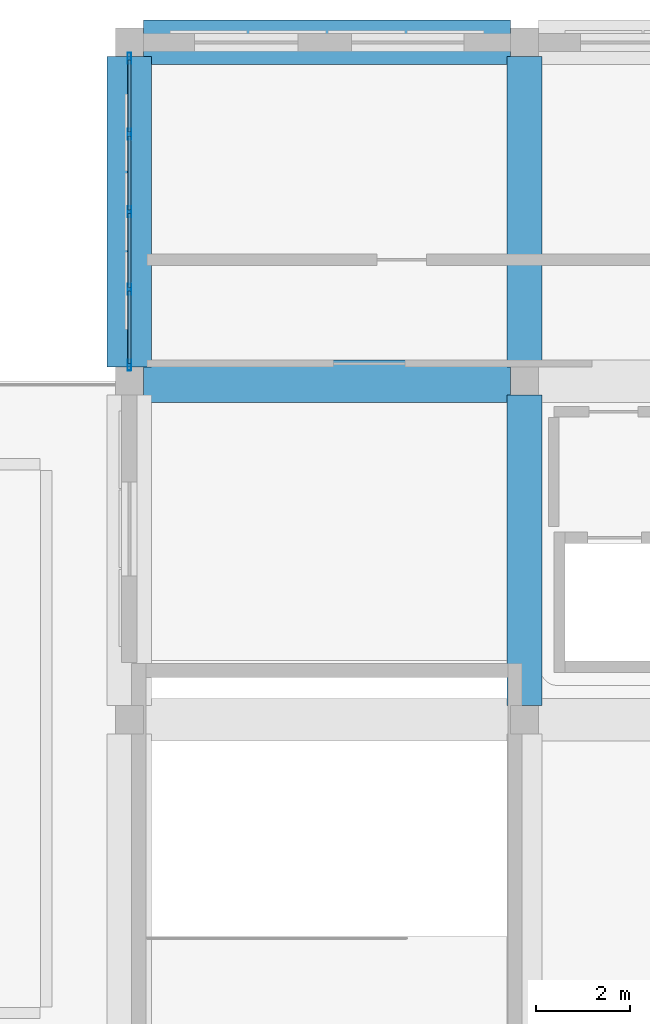
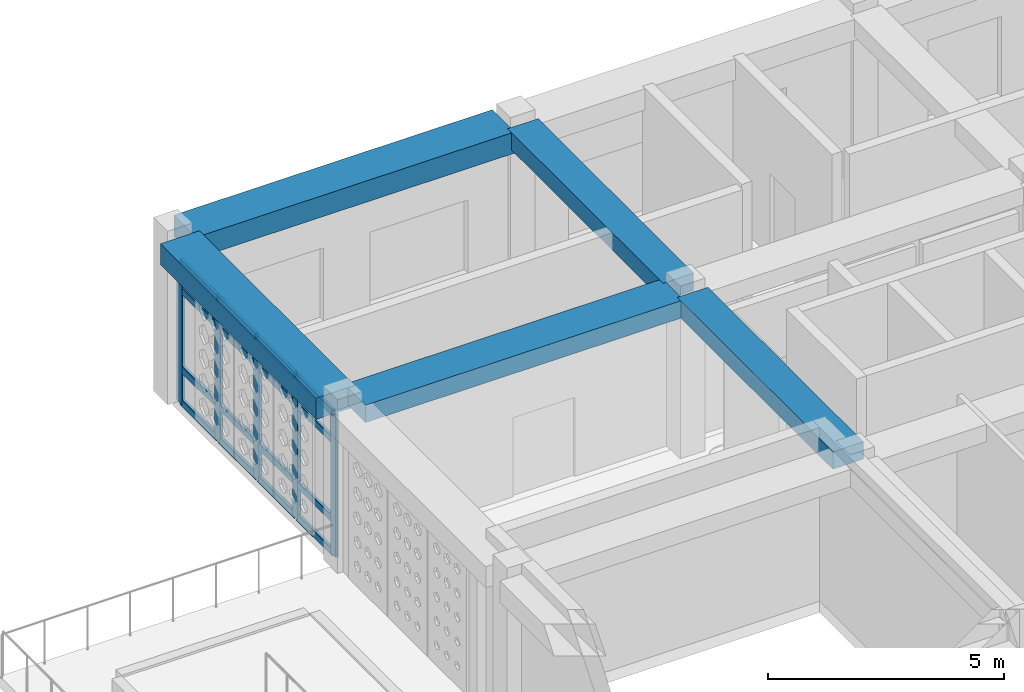
# One storey, part 9 of 28: 21 members, 5 beams, 1 element without a shape of its own.
"""IFC4 building model written with IfcOpenShell, lengths in metres."""

from ifc_helpers import new_model, si_unit, derived_unit, direction, frame, origin, origin_2d, place, context, subcontext, project, spatial, rectangle, hollow_rectangle, extrude, material, material_profile, profile_set, type_object, element, aggregate, save


model = new_model("IFC4")

# Units and contexts
model_context = context("Model", 3, precision=1e-05, world=origin(), true_north=direction((0.0, 1.0)))
body_context = subcontext(model_context, "Body", "Model", "MODEL_VIEW")
ifc_project = project(units=[si_unit("LENGTHUNIT", "METRE"), si_unit("AREAUNIT", "SQUARE_METRE"), si_unit("VOLUMEUNIT", "CUBIC_METRE"), si_unit("PLANEANGLEUNIT", "RADIAN"), si_unit("MASSUNIT", "GRAM", prefix="KILO"), derived_unit("THERMALTRANSMITTANCEUNIT", [(si_unit("POWERUNIT", "WATT"), 1), (si_unit("LENGTHUNIT", "METRE"), -2), (si_unit("THERMODYNAMICTEMPERATUREUNIT", "KELVIN"), -1)])], contexts=[model_context])

# Site, building, storey
site_placement = place(None, origin())
site = spatial("IfcSite", under=ifc_project, at=site_placement, CompositionType="ELEMENT")
building_placement = place(site_placement, origin())
building = spatial("IfcBuilding", under=site, at=building_placement, Name="Veybourne Emporium", CompositionType="ELEMENT")
storey_placement = place(building_placement, frame((0.0, 0.0, 32.10009765625)))
storey = spatial("IfcBuildingStorey", under=building, at=storey_placement, Name="L07", CompositionType="ELEMENT", Elevation=32.10009765625)

# Curtain wall, members
ifc_material_1 = material(Name="Patinated Architectural Bronze", Category="bronze")
curtain_wall_type = type_object("IfcCurtainWallType", Name="CWSystem_CWS-19", PredefinedType="NOTDEFINED", material=ifc_material_1)
curtain_wall_placement = place(storey_placement, origin())
curtain_wall = element("IfcCurtainWall", 1, at=curtain_wall_placement, inside=storey, type_object=curtain_wall_type, Name="L07 bronze glazed curtain wall CWS-19 (007)", PredefinedType="NOTDEFINED")
ifc_material_profile_1 = material_profile(ifc_material_1, hollow_rectangle(XDim=0.077880859375, YDim=0.235107421875, WallThickness=0.0048828125, InnerFilletRadius=0.007568359375, OuterFilletRadius=0.012451171875, at=origin_2d()), Name="CWM 78x235x5")
ifc_profile_set_1 = profile_set([ifc_material_profile_1], Name="Patinated Architectural Bronze")
member_type_1 = type_object("IfcMemberType", Name="CWMullion_CW-M3", PredefinedType="MULLION", material=ifc_profile_set_1)
member_1_placement = place(storey_placement, frame((8.39990234375, 43.5390625, 0.0), z_axis=(0.0, 0.0, 1.0), x_axis=(-1.0, 0.0, 0.0)))
member_1 = element("IfcMember", 2, at=member_1_placement, type_object=member_type_1, Name="CWS-19 mullion 1", PredefinedType="MULLION", context=body_context, shape_type="SweptSolid", body=[
    extrude(hollow_rectangle(XDim=0.077880859375, YDim=0.235107421875, WallThickness=0.0048828125, InnerFilletRadius=0.007568359375, OuterFilletRadius=0.012451171875, at=origin_2d()), origin(), (0.0, 0.0, 1.0), 3.68994140625),
])
member_2_placement = place(storey_placement, frame((8.39990234375, 45.14990234375, 0.0), z_axis=(0.0, 0.0, 1.0), x_axis=(-1.0, 0.0, 0.0)))
member_2 = element("IfcMember", 3, at=member_2_placement, type_object=member_type_1, Name="CWS-19 mullion 2", PredefinedType="MULLION", context=body_context, shape_type="SweptSolid", body=[
    extrude(hollow_rectangle(XDim=0.077880859375, YDim=0.235107421875, WallThickness=0.0048828125, InnerFilletRadius=0.007568359375, OuterFilletRadius=0.012451171875, at=origin_2d()), origin(), (0.0, 0.0, 1.0), 3.68994140625),
])
member_3_placement = place(storey_placement, frame((8.39990234375, 46.800048828125, 0.0), z_axis=(0.0, 0.0, 1.0), x_axis=(-1.0, 0.0, 0.0)))
member_3 = element("IfcMember", 4, at=member_3_placement, type_object=member_type_1, Name="CWS-19 mullion 3", PredefinedType="MULLION", context=body_context, shape_type="SweptSolid", body=[
    extrude(hollow_rectangle(XDim=0.077880859375, YDim=0.235107421875, WallThickness=0.0048828125, InnerFilletRadius=0.007568359375, OuterFilletRadius=0.012451171875, at=origin_2d()), origin(), (0.0, 0.0, 1.0), 3.68994140625),
])
member_4_placement = place(storey_placement, frame((8.39990234375, 48.449951171875, 0.0), z_axis=(0.0, 0.0, 1.0), x_axis=(-1.0, 0.0, 0.0)))
member_4 = element("IfcMember", 5, at=member_4_placement, type_object=member_type_1, Name="CWS-19 mullion 4", PredefinedType="MULLION", context=body_context, shape_type="SweptSolid", body=[
    extrude(hollow_rectangle(XDim=0.077880859375, YDim=0.235107421875, WallThickness=0.0048828125, InnerFilletRadius=0.007568359375, OuterFilletRadius=0.012451171875, at=origin_2d()), origin(), (0.0, 0.0, 1.0), 3.68994140625),
])
member_5_placement = place(storey_placement, frame((8.39990234375, 50.06103515625, 0.0), z_axis=(0.0, 0.0, 1.0), x_axis=(-1.0, 0.0, 0.0)))
member_5 = element("IfcMember", 6, at=member_5_placement, type_object=member_type_1, Name="CWS-19 mullion 5", PredefinedType="MULLION", context=body_context, shape_type="SweptSolid", body=[
    extrude(hollow_rectangle(XDim=0.077880859375, YDim=0.235107421875, WallThickness=0.0048828125, InnerFilletRadius=0.007568359375, OuterFilletRadius=0.012451171875, at=origin_2d()), origin(), (0.0, 0.0, 1.0), 3.68994140625),
])
ifc_material_profile_2 = material_profile(ifc_material_1, hollow_rectangle(XDim=0.077880859375, YDim=0.18505859375, WallThickness=0.0048828125, InnerFilletRadius=0.007568359375, OuterFilletRadius=0.012451171875, at=origin_2d()), Name="CWT 78x185x5")
ifc_profile_set_2 = profile_set([ifc_material_profile_2], Name="Patinated Architectural Bronze")
member_type_2 = type_object("IfcMemberType", Name="CWTransom_CW-T3", PredefinedType="NOTDEFINED", material=ifc_profile_set_2)
member_6_placement = place(storey_placement, frame((8.39990234375, 43.577880859375, 0.038818359375), z_axis=(0.0, 1.0, 0.0), x_axis=(-1.0, 0.0, 0.0)))
member_6 = element("IfcMember", 7, at=member_6_placement, type_object=member_type_2, Name="CWS-19 transom 1.1", ObjectType="TRANSOM", PredefinedType="USERDEFINED", context=body_context, shape_type="SweptSolid", body=[
    extrude(hollow_rectangle(XDim=0.077880859375, YDim=0.18505859375, WallThickness=0.0048828125, InnerFilletRadius=0.007568359375, OuterFilletRadius=0.012451171875, at=origin_2d()), origin(), (0.0, 0.0, 1.0), 1.533203125),
])
member_7_placement = place(storey_placement, frame((8.39990234375, 43.577880859375, 0.89990234375), z_axis=(0.0, 1.0, 0.0), x_axis=(-1.0, 0.0, 0.0)))
member_7 = element("IfcMember", 8, at=member_7_placement, type_object=member_type_2, Name="CWS-19 transom 1.2", ObjectType="TRANSOM", PredefinedType="USERDEFINED", context=body_context, shape_type="SweptSolid", body=[
    extrude(hollow_rectangle(XDim=0.077880859375, YDim=0.18505859375, WallThickness=0.0048828125, InnerFilletRadius=0.007568359375, OuterFilletRadius=0.012451171875, at=origin_2d()), origin(), (0.0, 0.0, 1.0), 1.533203125),
])
member_8_placement = place(storey_placement, frame((8.39990234375, 43.577880859375, 2.93994140625), z_axis=(0.0, 1.0, 0.0), x_axis=(-1.0, 0.0, 0.0)))
member_8 = element("IfcMember", 9, at=member_8_placement, type_object=member_type_2, Name="CWS-19 transom 1.3", ObjectType="TRANSOM", PredefinedType="USERDEFINED", context=body_context, shape_type="SweptSolid", body=[
    extrude(hollow_rectangle(XDim=0.077880859375, YDim=0.18505859375, WallThickness=0.0048828125, InnerFilletRadius=0.007568359375, OuterFilletRadius=0.012451171875, at=origin_2d()), origin(), (0.0, 0.0, 1.0), 1.533203125),
])
member_9_placement = place(storey_placement, frame((8.39990234375, 43.577880859375, 3.65087890625), z_axis=(0.0, 1.0, 0.0), x_axis=(-1.0, 0.0, 0.0)))
member_9 = element("IfcMember", 10, at=member_9_placement, type_object=member_type_2, Name="CWS-19 transom 1.4", ObjectType="TRANSOM", PredefinedType="USERDEFINED", context=body_context, shape_type="SweptSolid", body=[
    extrude(hollow_rectangle(XDim=0.077880859375, YDim=0.18505859375, WallThickness=0.0048828125, InnerFilletRadius=0.007568359375, OuterFilletRadius=0.012451171875, at=origin_2d()), origin(), (0.0, 0.0, 1.0), 1.533203125),
])
member_10_placement = place(storey_placement, frame((8.39990234375, 45.18896484375, 0.038818359375), z_axis=(0.0, 1.0, 0.0), x_axis=(-1.0, 0.0, 0.0)))
member_10 = element("IfcMember", 11, at=member_10_placement, type_object=member_type_2, Name="CWS-19 transom 2.1", ObjectType="TRANSOM", PredefinedType="USERDEFINED", context=body_context, shape_type="SweptSolid", body=[
    extrude(hollow_rectangle(XDim=0.077880859375, YDim=0.18505859375, WallThickness=0.0048828125, InnerFilletRadius=0.007568359375, OuterFilletRadius=0.012451171875, at=origin_2d()), origin(), (0.0, 0.0, 1.0), 1.572021484375),
])
member_11_placement = place(storey_placement, frame((8.39990234375, 45.18896484375, 0.89990234375), z_axis=(0.0, 1.0, 0.0), x_axis=(-1.0, 0.0, 0.0)))
member_11 = element("IfcMember", 12, at=member_11_placement, type_object=member_type_2, Name="CWS-19 transom 2.2", ObjectType="TRANSOM", PredefinedType="USERDEFINED", context=body_context, shape_type="SweptSolid", body=[
    extrude(hollow_rectangle(XDim=0.077880859375, YDim=0.18505859375, WallThickness=0.0048828125, InnerFilletRadius=0.007568359375, OuterFilletRadius=0.012451171875, at=origin_2d()), origin(), (0.0, 0.0, 1.0), 1.572021484375),
])
member_12_placement = place(storey_placement, frame((8.39990234375, 45.18896484375, 2.93994140625), z_axis=(0.0, 1.0, 0.0), x_axis=(-1.0, 0.0, 0.0)))
member_12 = element("IfcMember", 13, at=member_12_placement, type_object=member_type_2, Name="CWS-19 transom 2.3", ObjectType="TRANSOM", PredefinedType="USERDEFINED", context=body_context, shape_type="SweptSolid", body=[
    extrude(hollow_rectangle(XDim=0.077880859375, YDim=0.18505859375, WallThickness=0.0048828125, InnerFilletRadius=0.007568359375, OuterFilletRadius=0.012451171875, at=origin_2d()), origin(), (0.0, 0.0, 1.0), 1.572021484375),
])
member_13_placement = place(storey_placement, frame((8.39990234375, 45.18896484375, 3.65087890625), z_axis=(0.0, 1.0, 0.0), x_axis=(-1.0, 0.0, 0.0)))
member_13 = element("IfcMember", 14, at=member_13_placement, type_object=member_type_2, Name="CWS-19 transom 2.4", ObjectType="TRANSOM", PredefinedType="USERDEFINED", context=body_context, shape_type="SweptSolid", body=[
    extrude(hollow_rectangle(XDim=0.077880859375, YDim=0.18505859375, WallThickness=0.0048828125, InnerFilletRadius=0.007568359375, OuterFilletRadius=0.012451171875, at=origin_2d()), origin(), (0.0, 0.0, 1.0), 1.572021484375),
])
member_14_placement = place(storey_placement, frame((8.39990234375, 46.839111328125, 0.038818359375), z_axis=(0.0, 1.0, 0.0), x_axis=(-1.0, 0.0, 0.0)))
member_14 = element("IfcMember", 15, at=member_14_placement, type_object=member_type_2, Name="CWS-19 transom 3.1", ObjectType="TRANSOM", PredefinedType="USERDEFINED", context=body_context, shape_type="SweptSolid", body=[
    extrude(hollow_rectangle(XDim=0.077880859375, YDim=0.18505859375, WallThickness=0.0048828125, InnerFilletRadius=0.007568359375, OuterFilletRadius=0.012451171875, at=origin_2d()), origin(), (0.0, 0.0, 1.0), 1.57177734375),
])
member_15_placement = place(storey_placement, frame((8.39990234375, 46.839111328125, 0.89990234375), z_axis=(0.0, 1.0, 0.0), x_axis=(-1.0, 0.0, 0.0)))
member_15 = element("IfcMember", 16, at=member_15_placement, type_object=member_type_2, Name="CWS-19 transom 3.2", ObjectType="TRANSOM", PredefinedType="USERDEFINED", context=body_context, shape_type="SweptSolid", body=[
    extrude(hollow_rectangle(XDim=0.077880859375, YDim=0.18505859375, WallThickness=0.0048828125, InnerFilletRadius=0.007568359375, OuterFilletRadius=0.012451171875, at=origin_2d()), origin(), (0.0, 0.0, 1.0), 1.57177734375),
])
member_16_placement = place(storey_placement, frame((8.39990234375, 46.839111328125, 2.93994140625), z_axis=(0.0, 1.0, 0.0), x_axis=(-1.0, 0.0, 0.0)))
member_16 = element("IfcMember", 17, at=member_16_placement, type_object=member_type_2, Name="CWS-19 transom 3.3", ObjectType="TRANSOM", PredefinedType="USERDEFINED", context=body_context, shape_type="SweptSolid", body=[
    extrude(hollow_rectangle(XDim=0.077880859375, YDim=0.18505859375, WallThickness=0.0048828125, InnerFilletRadius=0.007568359375, OuterFilletRadius=0.012451171875, at=origin_2d()), origin(), (0.0, 0.0, 1.0), 1.57177734375),
])
member_17_placement = place(storey_placement, frame((8.39990234375, 46.839111328125, 3.65087890625), z_axis=(0.0, 1.0, 0.0), x_axis=(-1.0, 0.0, 0.0)))
member_17 = element("IfcMember", 18, at=member_17_placement, type_object=member_type_2, Name="CWS-19 transom 3.4", ObjectType="TRANSOM", PredefinedType="USERDEFINED", context=body_context, shape_type="SweptSolid", body=[
    extrude(hollow_rectangle(XDim=0.077880859375, YDim=0.18505859375, WallThickness=0.0048828125, InnerFilletRadius=0.007568359375, OuterFilletRadius=0.012451171875, at=origin_2d()), origin(), (0.0, 0.0, 1.0), 1.57177734375),
])
member_18_placement = place(storey_placement, frame((8.39990234375, 48.489013671875, 0.038818359375), z_axis=(0.0, 1.0, 0.0), x_axis=(-1.0, 0.0, 0.0)))
member_18 = element("IfcMember", 19, at=member_18_placement, type_object=member_type_2, Name="CWS-19 transom 4.1", ObjectType="TRANSOM", PredefinedType="USERDEFINED", context=body_context, shape_type="SweptSolid", body=[
    extrude(hollow_rectangle(XDim=0.077880859375, YDim=0.18505859375, WallThickness=0.0048828125, InnerFilletRadius=0.007568359375, OuterFilletRadius=0.012451171875, at=origin_2d()), origin(), (0.0, 0.0, 1.0), 1.532958984375),
])
member_19_placement = place(storey_placement, frame((8.39990234375, 48.489013671875, 0.89990234375), z_axis=(0.0, 1.0, 0.0), x_axis=(-1.0, 0.0, 0.0)))
member_19 = element("IfcMember", 20, at=member_19_placement, type_object=member_type_2, Name="CWS-19 transom 4.2", ObjectType="TRANSOM", PredefinedType="USERDEFINED", context=body_context, shape_type="SweptSolid", body=[
    extrude(hollow_rectangle(XDim=0.077880859375, YDim=0.18505859375, WallThickness=0.0048828125, InnerFilletRadius=0.007568359375, OuterFilletRadius=0.012451171875, at=origin_2d()), origin(), (0.0, 0.0, 1.0), 1.532958984375),
])
member_20_placement = place(storey_placement, frame((8.39990234375, 48.489013671875, 2.93994140625), z_axis=(0.0, 1.0, 0.0), x_axis=(-1.0, 0.0, 0.0)))
member_20 = element("IfcMember", 21, at=member_20_placement, type_object=member_type_2, Name="CWS-19 transom 4.3", ObjectType="TRANSOM", PredefinedType="USERDEFINED", context=body_context, shape_type="SweptSolid", body=[
    extrude(hollow_rectangle(XDim=0.077880859375, YDim=0.18505859375, WallThickness=0.0048828125, InnerFilletRadius=0.007568359375, OuterFilletRadius=0.012451171875, at=origin_2d()), origin(), (0.0, 0.0, 1.0), 1.532958984375),
])
member_21_placement = place(storey_placement, frame((8.39990234375, 48.489013671875, 3.65087890625), z_axis=(0.0, 1.0, 0.0), x_axis=(-1.0, 0.0, 0.0)))
member_21 = element("IfcMember", 22, at=member_21_placement, type_object=member_type_2, Name="CWS-19 transom 4.4", ObjectType="TRANSOM", PredefinedType="USERDEFINED", context=body_context, shape_type="SweptSolid", body=[
    extrude(hollow_rectangle(XDim=0.077880859375, YDim=0.18505859375, WallThickness=0.0048828125, InnerFilletRadius=0.007568359375, OuterFilletRadius=0.012451171875, at=origin_2d()), origin(), (0.0, 0.0, 1.0), 1.532958984375),
])
aggregate(curtain_wall, [member_1, member_2, member_3, member_4, member_5, member_6, member_7, member_8, member_9, member_10, member_11, member_12, member_13, member_14, member_15, member_16, member_17, member_18, member_19, member_20, member_21])

# Beams
ifc_material_2 = material(Name="Concrete C32/40", Category="concrete")
ifc_material_profile_3 = material_profile(ifc_material_2, rectangle(XDim=0.89990234375, YDim=0.449951171875, at=origin_2d()), Name="RC 900x450")
ifc_profile_set_3 = profile_set([ifc_material_profile_3], Name="Concrete C32/40")
beam_type_1 = type_object("IfcBeamType", Name="RCBeam_BB-03", PredefinedType="BEAM", material=ifc_profile_set_3)
beam_1_placement = place(storey_placement, frame((8.699951171875, 43.199951171875, 4.014892578125), z_axis=(1.0, 0.0, 0.0), x_axis=(0.0, 1.0, 0.0)))
element("IfcBeam", 23, at=beam_1_placement, inside=storey, type_object=beam_type_1, Name="L07 X-grid beam BB-03 (1,6)", PredefinedType="BEAM", context=body_context, shape_type="SweptSolid", body=[
    extrude(rectangle(XDim=0.89990234375, YDim=0.449951171875, at=origin_2d()), origin(), (0.0, 0.0, 1.0), 7.800048828125),
])
ifc_material_profile_4 = material_profile(ifc_material_2, rectangle(XDim=0.75, YDim=0.449951171875, at=origin_2d()), Name="RC 750x450")
ifc_profile_set_4 = profile_set([ifc_material_profile_4], Name="Concrete C32/40")
beam_type_2 = type_object("IfcBeamType", Name="RCBeam_BB-04", PredefinedType="BEAM", material=ifc_profile_set_4)
beam_2_placement = place(storey_placement, frame((16.800048828125, 36.300048828125, 4.014892578125), z_axis=(0.0, 1.0, 0.0), x_axis=(-1.0, 0.0, 0.0)))
element("IfcBeam", 24, at=beam_2_placement, inside=storey, type_object=beam_type_2, Name="L07 Y-grid beam BB-04 (2,5)", PredefinedType="BEAM", context=body_context, shape_type="SweptSolid", body=[
    extrude(rectangle(XDim=0.75, YDim=0.449951171875, at=origin_2d()), origin(), (0.0, 0.0, 1.0), 6.599853515625),
])
beam_3_placement = place(storey_placement, frame((16.800048828125, 43.5, 4.014892578125), z_axis=(0.0, 1.0, 0.0), x_axis=(-1.0, 0.0, 0.0)))
element("IfcBeam", 25, at=beam_3_placement, inside=storey, type_object=beam_type_2, Name="L07 Y-grid beam BB-04 (2,6)", PredefinedType="BEAM", context=body_context, shape_type="SweptSolid", body=[
    extrude(rectangle(XDim=0.75, YDim=0.449951171875, at=origin_2d()), origin(), (0.0, 0.0, 1.0), 6.60009765625),
])
ifc_material_profile_5 = material_profile(ifc_material_2, rectangle(XDim=0.949951171875, YDim=0.550048828125, at=origin_2d()), Name="RC 950x550")
ifc_profile_set_5 = profile_set([ifc_material_profile_5], Name="Concrete C32/40")
beam_type_3 = type_object("IfcBeamType", Name="RCBeam_EB-01", PredefinedType="SPANDREL", material=ifc_profile_set_5)
beam_4_placement = place(storey_placement, frame((8.699951171875, 50.39990234375, 3.96484375), z_axis=(1.0, 0.0, 0.0), x_axis=(0.0, 1.0, 0.0)))
element("IfcBeam", 26, at=beam_4_placement, inside=storey, type_object=beam_type_3, Name="L07 X-grid beam EB-01 (1,7)", PredefinedType="SPANDREL", context=body_context, shape_type="SweptSolid", body=[
    extrude(rectangle(XDim=0.949951171875, YDim=0.550048828125, at=origin_2d()), origin(), (0.0, 0.0, 1.0), 7.800048828125),
])
beam_5_placement = place(storey_placement, frame((8.39990234375, 43.5, 3.96484375), z_axis=(0.0, 1.0, 0.0), x_axis=(-1.0, 0.0, 0.0)))
element("IfcBeam", 27, at=beam_5_placement, inside=storey, type_object=beam_type_3, Name="L07 Y-grid beam EB-01 (1,6)", PredefinedType="SPANDREL", context=body_context, shape_type="SweptSolid", body=[
    extrude(rectangle(XDim=0.949951171875, YDim=0.550048828125, at=origin_2d()), origin(), (0.0, 0.0, 1.0), 6.60009765625),
])

save(model, "model.ifc")
